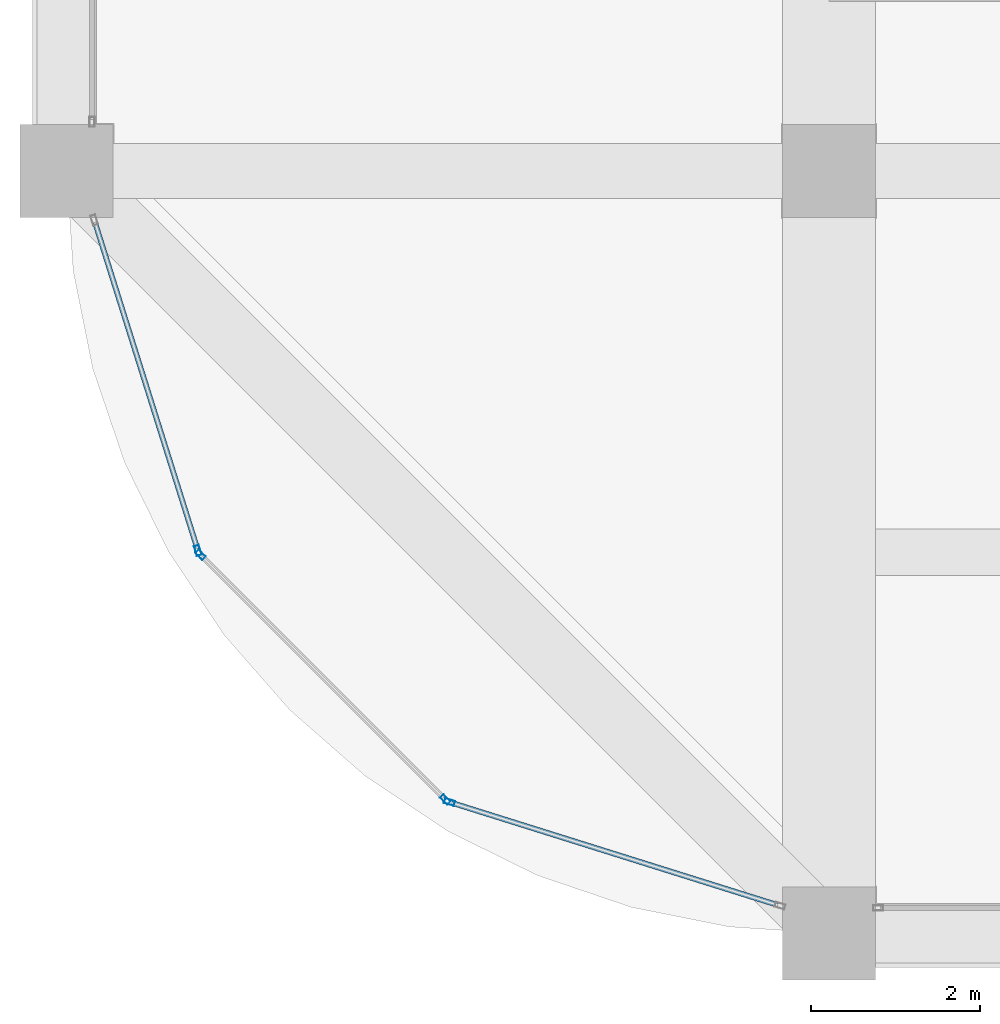
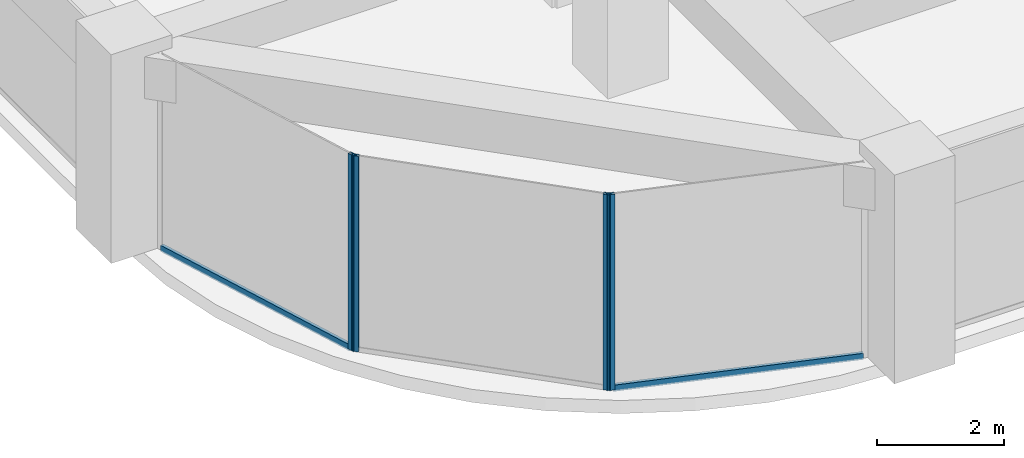
# One storey, part 2 of 44: 6 members, 3 elements without a shape of their own.
"""IFC4 building model written with IfcOpenShell, lengths in metres."""

from ifc_helpers import new_model, si_unit, direction, frame, origin, origin_2d, place, context, subcontext, project, spatial, hollow_rectangle, extrude, material, material_profile, profile_set, type_object, element, aggregate, save


model = new_model("IFC4")

# Units and contexts
model_context = context("Model", 3, precision=1e-05, world=origin(), true_north=direction((0.0, 1.0)))
body_context = subcontext(model_context, "Body", "Model", "MODEL_VIEW")
ifc_project = project(units=[si_unit("LENGTHUNIT", "METRE"), si_unit("AREAUNIT", "SQUARE_METRE"), si_unit("VOLUMEUNIT", "CUBIC_METRE"), si_unit("PLANEANGLEUNIT", "RADIAN"), si_unit("MASSUNIT", "GRAM", prefix="KILO")], contexts=[model_context])

# Site, building, storey
site_placement = place(None, origin())
site = spatial("IfcSite", under=ifc_project, at=site_placement, CompositionType="ELEMENT")
building_placement = place(site_placement, origin())
building = spatial("IfcBuilding", under=site, at=building_placement, Name="Zorevar Civic Tower", CompositionType="ELEMENT")
storey_placement = place(building_placement, frame((0.0, 0.0, 255.39990234375)))
storey = spatial("IfcBuildingStorey", under=building, at=storey_placement, Name="L62", CompositionType="ELEMENT", Elevation=255.39990234375)

# Curtain wall, member
ifc_material_1 = material(Name="Dark grey solar-control glass in black aluminium frame", Category="aluminium")
curtain_wall_type = type_object("IfcCurtainWallType", Name="Curtain wall CW5 top zone", PredefinedType="NOTDEFINED", material=ifc_material_1)
curtain_wall_1_placement = place(storey_placement, origin())
curtain_wall_1 = element("IfcCurtainWall", 1, at=curtain_wall_1_placement, inside=storey, type_object=curtain_wall_type, Name="CW5 L62", PredefinedType="NOTDEFINED")
ifc_material_2 = material(Name="Aluminium, black anodised", Category="aluminium")
ifc_material_profile_1 = material_profile(ifc_material_2, hollow_rectangle(XDim=0.06005859375, YDim=0.1201171875, WallThickness=0.0029296875, at=origin_2d()), Name="AL 120x60x3")
ifc_profile_set_1 = profile_set([ifc_material_profile_1], Name="Aluminium, black anodised")
member_type_1 = type_object("IfcMemberType", Name="CW5 mullion AL 120x60x3", PredefinedType="MULLION", material=ifc_profile_set_1)
member_1_placement = place(storey_placement, frame((10.550048828125, 4.520751953125, 0.0), z_axis=(0.0, 0.0, 1.0), x_axis=(0.954153437674, 0.299317920238, 0.0)))
member_1 = element("IfcMember", 2, at=member_1_placement, type_object=member_type_1, Name="CW5 mullion 2", PredefinedType="MULLION", context=body_context, shape_type="SweptSolid", body=[
    extrude(hollow_rectangle(XDim=0.06005859375, YDim=0.1201171875, WallThickness=0.0029296875, at=origin_2d()), origin(), (0.0, 0.0, 1.0), 3.75),
])

# Curtain wall, members
curtain_wall_2_placement = place(storey_placement, origin())
curtain_wall_2 = element("IfcCurtainWall", 3, at=curtain_wall_2_placement, inside=storey, type_object=curtain_wall_type, Name="CW5 L62", PredefinedType="NOTDEFINED")
member_2_placement = place(storey_placement, frame((10.580322265625, 4.470947265625, 0.0), z_axis=(0.0, 0.0, 1.0), x_axis=(0.707106781187, 0.707106781187, 0.0)))
member_2 = element("IfcMember", 4, at=member_2_placement, type_object=member_type_1, Name="CW5 mullion 1", PredefinedType="MULLION", context=body_context, shape_type="SweptSolid", body=[
    extrude(hollow_rectangle(XDim=0.06005859375, YDim=0.1201171875, WallThickness=0.0029296875, at=origin_2d()), origin(), (0.0, 0.0, 1.0), 3.75),
])
member_3_placement = place(storey_placement, frame((13.470947265625, 1.580322265625, 0.0), z_axis=(0.0, 0.0, 1.0), x_axis=(0.707106781187, 0.707106781187, 0.0)))
member_3 = element("IfcMember", 5, at=member_3_placement, type_object=member_type_1, Name="CW5 mullion 2", PredefinedType="MULLION", context=body_context, shape_type="SweptSolid", body=[
    extrude(hollow_rectangle(XDim=0.06005859375, YDim=0.1201171875, WallThickness=0.0029296875, at=origin_2d()), origin(), (0.0, 0.0, 1.0), 3.75),
])
aggregate(curtain_wall_2, [member_2, member_3])

# Curtain wall, member
curtain_wall_3_placement = place(storey_placement, origin())
curtain_wall_3 = element("IfcCurtainWall", 6, at=curtain_wall_3_placement, inside=storey, type_object=curtain_wall_type, Name="CW5 L62", PredefinedType="NOTDEFINED")
member_4_placement = place(storey_placement, frame((13.520751953125, 1.550048828125, 0.0), z_axis=(0.0, 0.0, 1.0), x_axis=(0.299317920238, 0.954153437674, 0.0)))
member_4 = element("IfcMember", 7, at=member_4_placement, type_object=member_type_1, Name="CW5 mullion 1", PredefinedType="MULLION", context=body_context, shape_type="SweptSolid", body=[
    extrude(hollow_rectangle(XDim=0.06005859375, YDim=0.1201171875, WallThickness=0.0029296875, at=origin_2d()), origin(), (0.0, 0.0, 1.0), 3.75),
])

# Member
ifc_material_3 = material(Name="Aluminium, black anodised", Category="aluminium")
ifc_material_profile_2 = material_profile(ifc_material_3, hollow_rectangle(XDim=0.06005859375, YDim=0.1201171875, WallThickness=0.0029296875, at=origin_2d()), Name="AL 120x60x3")
ifc_profile_set_2 = profile_set([ifc_material_profile_2], Name="Aluminium, black anodised")
member_type_2 = type_object("IfcMemberType", Name="CW5 transom AL 120x60x3", PredefinedType="USERDEFINED", material=ifc_profile_set_2)
member_5_placement = place(storey_placement, frame((9.33544921875, 8.392822265625, 0.030029296875), z_axis=(0.299285978047, -0.954163457351, 0.0), x_axis=(0.954163457351, 0.299285978047, 0.0)))
member_5 = element("IfcMember", 8, at=member_5_placement, type_object=member_type_2, Name="CW5 sill transom", ObjectType="TRANSOM", PredefinedType="USERDEFINED", context=body_context, shape_type="SweptSolid", body=[
    extrude(hollow_rectangle(XDim=0.06005859375, YDim=0.1201171875, WallThickness=0.0029296875, at=origin_2d()), origin(), (0.0, 0.0, 1.0), 4.028076171875),
])

aggregate(curtain_wall_1, [member_1, member_5])

member_6_placement = place(storey_placement, frame((13.54931640625, 1.541015625, 0.030029296875), z_axis=(0.954163457351, -0.299285978047, 0.0), x_axis=(0.299285978047, 0.954163457351, 0.0)))
member_6 = element("IfcMember", 9, at=member_6_placement, type_object=member_type_2, Name="CW5 sill transom", ObjectType="TRANSOM", PredefinedType="USERDEFINED", context=body_context, shape_type="SweptSolid", body=[
    extrude(hollow_rectangle(XDim=0.06005859375, YDim=0.1201171875, WallThickness=0.0029296875, at=origin_2d()), origin(), (0.0, 0.0, 1.0), 4.028076171875),
])

aggregate(curtain_wall_3, [member_4, member_6])

save(model, "model.ifc")
